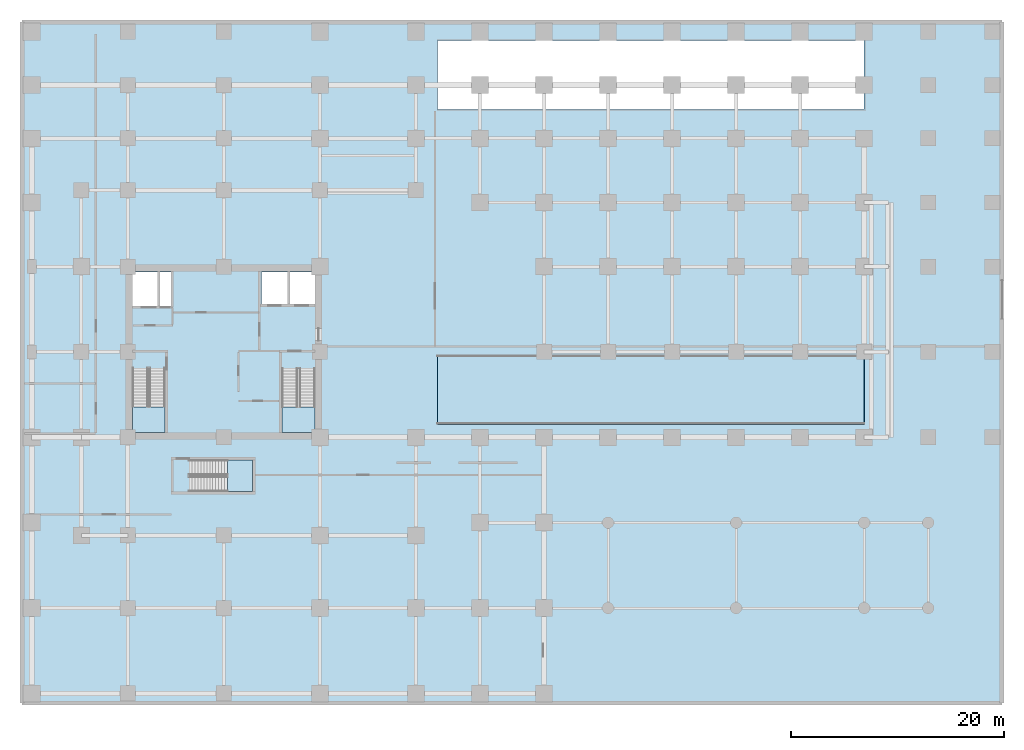
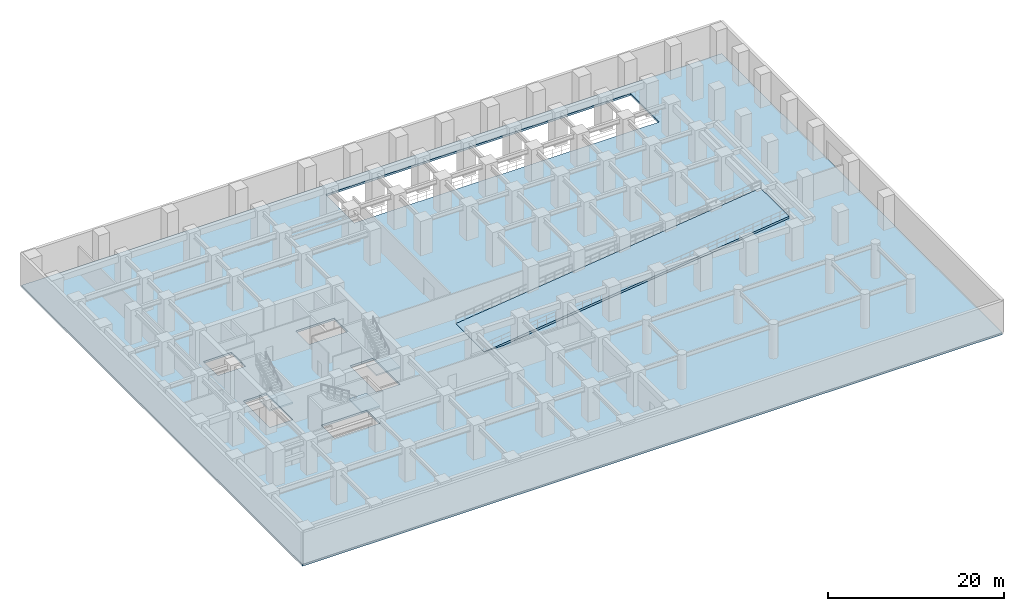
# One storey, part 3 of 9: 5 slabs, 3 elements without a shape of their own.
"""IFC4 building model written with IfcOpenShell, lengths in metres."""

from ifc_helpers import new_model, si_unit, direction, frame, origin, place, context, subcontext, project, spatial, polyline, outline, extrude, clip, halfspace, material, layer, layer_set, type_object, element, aggregate, save


model = new_model("IFC4")

# Units and contexts
model_context = context("Model", 3, precision=1e-05, world=origin(), true_north=direction((0.0, 1.0)))
body_context = subcontext(model_context, "Body", "Model", "MODEL_VIEW")
ifc_project = project(units=[si_unit("LENGTHUNIT", "METRE"), si_unit("AREAUNIT", "SQUARE_METRE"), si_unit("VOLUMEUNIT", "CUBIC_METRE"), si_unit("PLANEANGLEUNIT", "RADIAN"), si_unit("MASSUNIT", "GRAM", prefix="KILO")], contexts=[model_context])

# Site, building, storey
site_placement = place(None, origin())
site = spatial("IfcSite", under=ifc_project, at=site_placement, CompositionType="ELEMENT")
building_placement = place(site_placement, origin())
building = spatial("IfcBuilding", under=site, at=building_placement, Name="Torre Montelarca", CompositionType="ELEMENT")
storey_placement = place(building_placement, frame((0.0, 0.0, -4.800048828125)))
storey = spatial("IfcBuildingStorey", under=building, at=storey_placement, Name="B1", CompositionType="ELEMENT", Elevation=-4.800048828125)

# Slab
ifc_material = material(Name="Concrete C40/50", Category="concrete")
ifc_layer_1 = layer(ifc_material, 0.280029296875, Name="Concrete C40/50", Category="concrete")
ifc_layer_set_1 = layer_set([ifc_layer_1], Name="Concrete C40/50")
slab_type_1 = type_object("IfcSlabType", Name="SL-FLR-280", PredefinedType="FLOOR", material=ifc_layer_set_1)
slab_1_placement = place(storey_placement, frame((0.0, 0.0, -0.280029296875)))
element("IfcSlab", 1, at=slab_1_placement, inside=storey, type_object=slab_type_1, Name="B1 Structural Floor Slab", PredefinedType="FLOOR", context=body_context, shape_type="SweptSolid", body=[
    extrude(outline(polyline([(90.89990234375, -0.89990234375), (90.89990234375, 62.89990234375), (-0.89990234375, 62.89990234375), (-0.89990234375, -0.89990234375), (90.89990234375, -0.89990234375)]), holes=[polyline([(20.699951171875, 21.889892578125), (20.699951171875, 18.89990234375), (14.760009765625, 18.89990234375), (14.760009765625, 21.889892578125), (20.699951171875, 21.889892578125)]), polyline([(23.43994140625, 24.449951171875), (23.43994140625, 30.429931640625), (26.550048828125, 30.429931640625), (26.550048828125, 24.449951171875), (23.43994140625, 24.449951171875)]), polyline([(9.449951171875, 24.449951171875), (9.449951171875, 30.4599609375), (12.5, 30.4599609375), (12.5, 24.449951171875), (9.449951171875, 24.449951171875)]), polyline([(13.1201171875, 39.5), (13.1201171875, 36.300048828125), (9.449951171875, 36.300048828125), (9.449951171875, 39.5), (13.1201171875, 39.5)]), polyline([(26.60009765625, 36.449951171875), (21.550048828125, 36.449951171875), (21.550048828125, 39.5), (26.60009765625, 39.5), (26.60009765625, 36.449951171875)]), polyline([(78.0, 54.699951171875), (38.0, 54.699951171875), (38.0, 61.199951171875), (78.0, 61.199951171875), (78.0, 54.699951171875)])]), origin(), (0.0, 0.0, 1.0), 0.280029296875),
])

# Stair, slab
stair_type_1 = type_object("IfcStairType", Name="ST-CORE-ST1", PredefinedType="HALF_TURN_STAIR", material=ifc_material)
stair_1_placement = place(storey_placement, origin())
stair_1 = element("IfcStair", 2, at=stair_1_placement, inside=storey, type_object=stair_type_1, Name="B1 Protected Exit Stair ST1", PredefinedType="HALF_TURN_STAIR")
ifc_layer_2 = layer(ifc_material, 0.199951171875, Name="Concrete C40/50", Category="concrete")
ifc_layer_set_2 = layer_set([ifc_layer_2], Name="Concrete C40/50")
slab_type_2 = type_object("IfcSlabType", Name="SL-ST-LAND-ST1", PredefinedType="LANDING", material=ifc_layer_set_2)
slab_2_placement = place(storey_placement, frame((0.0, 0.0, 2.199951171875)))
slab_2 = element("IfcSlab", 3, at=slab_2_placement, type_object=slab_type_2, Name="ST1 landing 1", PredefinedType="LANDING", context=body_context, shape_type="SweptSolid", body=[
    extrude(outline(polyline([(9.449951171875, 26.860107421875), (9.449951171875, 24.449951171875), (12.5, 24.449951171875), (12.5, 26.860107421875), (9.449951171875, 26.860107421875)])), origin(), (0.0, 0.0, 1.0), 0.2001953125),
])
aggregate(stair_1, [slab_2])

stair_type_2 = type_object("IfcStairType", Name="ST-CORE-ST2", PredefinedType="HALF_TURN_STAIR", material=ifc_material)
stair_2_placement = place(storey_placement, origin())
stair_2 = element("IfcStair", 4, at=stair_2_placement, inside=storey, type_object=stair_type_2, Name="B1 Protected Exit Stair ST2", PredefinedType="HALF_TURN_STAIR")
ifc_layer_3 = layer(ifc_material, 0.199951171875, Name="Concrete C40/50", Category="concrete")
ifc_layer_set_3 = layer_set([ifc_layer_3], Name="Concrete C40/50")
slab_type_3 = type_object("IfcSlabType", Name="SL-ST-LAND-ST2", PredefinedType="LANDING", material=ifc_layer_set_3)
slab_3_placement = place(storey_placement, frame((0.0, 0.0, 2.199951171875)))
slab_3 = element("IfcSlab", 5, at=slab_3_placement, type_object=slab_type_3, Name="ST2 landing 1", PredefinedType="LANDING", context=body_context, shape_type="SweptSolid", body=[
    extrude(outline(polyline([(23.43994140625, 26.830078125), (23.43994140625, 24.449951171875), (26.550048828125, 24.449951171875), (26.550048828125, 26.830078125), (23.43994140625, 26.830078125)])), origin(), (0.0, 0.0, 1.0), 0.2001953125),
])
aggregate(stair_2, [slab_3])

stair_type_3 = type_object("IfcStairType", Name="ST-CORE-ST3", PredefinedType="HALF_TURN_STAIR", material=ifc_material)
stair_3_placement = place(storey_placement, origin())
stair_3 = element("IfcStair", 6, at=stair_3_placement, inside=storey, type_object=stair_type_3, Name="B1 Low-Rise Exit Stair ST3", PredefinedType="HALF_TURN_STAIR")
ifc_layer_4 = layer(ifc_material, 0.199951171875, Name="Concrete C40/50", Category="concrete")
ifc_layer_set_4 = layer_set([ifc_layer_4], Name="Concrete C40/50")
slab_type_4 = type_object("IfcSlabType", Name="SL-ST-LAND-ST3", PredefinedType="LANDING", material=ifc_layer_set_4)
slab_4_placement = place(storey_placement, frame((0.0, 0.0, 2.199951171875)))
slab_4 = element("IfcSlab", 7, at=slab_4_placement, type_object=slab_type_4, Name="ST3 landing 1", PredefinedType="LANDING", context=body_context, shape_type="SweptSolid", body=[
    extrude(outline(polyline([(18.360107421875, 18.89990234375), (20.699951171875, 18.89990234375), (20.699951171875, 21.889892578125), (18.360107421875, 21.889892578125), (18.360107421875, 18.89990234375)])), origin(), (0.0, 0.0, 1.0), 0.2001953125),
])
aggregate(stair_3, [slab_4])

# Slab
ifc_layer_5 = layer(ifc_material, 0.300048828125, Name="Concrete C40/50", Category="concrete")
ifc_layer_set_5 = layer_set([ifc_layer_5], Name="Concrete C40/50")
slab_type_5 = type_object("IfcSlabType", Name="SL-VRAMP-300", PredefinedType="FLOOR", material=ifc_layer_set_5)
slab_5_placement = place(storey_placement, frame((38.02001953125, 25.219970703125, 0.0), z_axis=(-0.119264100442, 0.0, 0.992862565689), x_axis=(0.992862565689, 0.0, 0.119264100442)))
element("IfcSlab", 8, at=slab_5_placement, inside=storey, type_object=slab_type_5, Name="Ground Arrival Vehicle Ramp R2", PredefinedType="FLOOR", context=body_context, shape_type="Clipping", body=[
    clip(extrude(outline(polyline([(0.0, 0.0), (40.247222846786705, 0.0), (40.247222846786705, 6.4599609375), (0.0, 6.4599609375), (0.0, 0.0)])), origin(), (0.0, 0.0, -1.0), 0.300048828125), halfspace(frame((0.0, 0.0, 0.0), z_axis=(-0.119264100442, 0.0, -0.992862565689), x_axis=(0.992862565689, 0.0, -0.119264100442)), False)),
])

save(model, "model.ifc")
